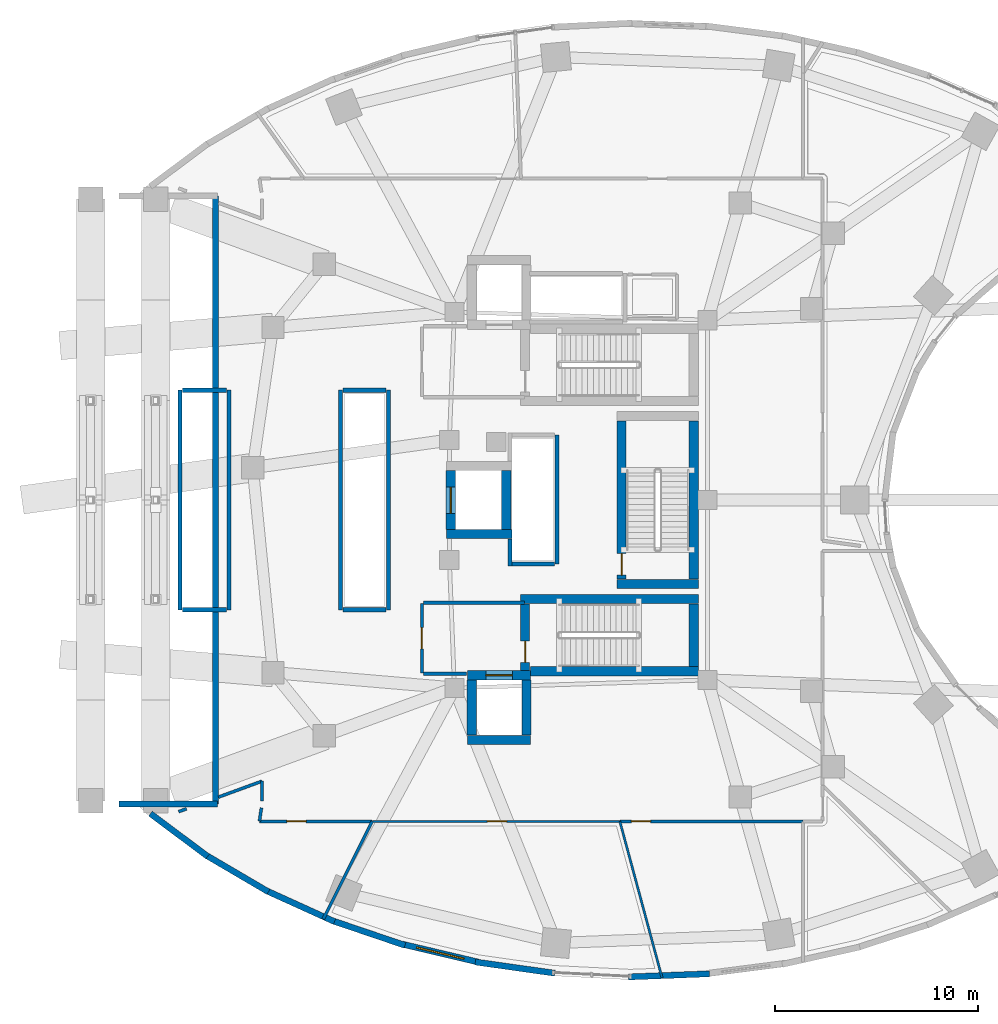
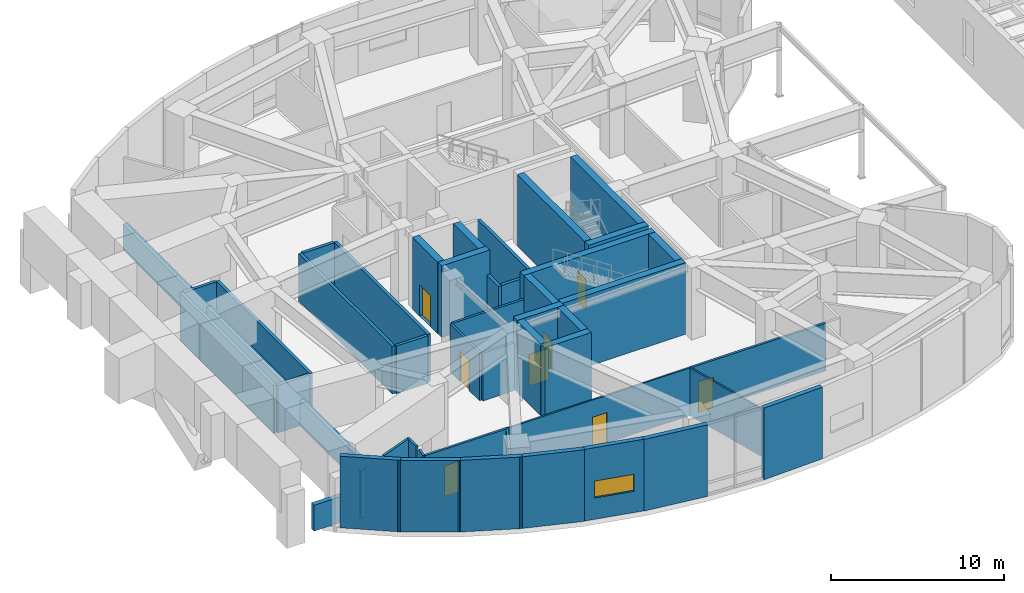
# One storey, part 15 of 23: 46 walls, 8 doors, 1 window, 9 openings.
"""IFC4 building model written with IfcOpenShell, lengths in metres."""

from ifc_helpers import new_model, si_unit, direction, frame, frame_2d, origin, place, context, subcontext, project, spatial, rectangle, extrude, material, layer, layer_set, type_object, element, fill, save


model = new_model("IFC4")

# Units and contexts
model_context = context("Model", 3, precision=1e-05, world=origin(), true_north=direction((0.0, 1.0)))
body_context = subcontext(model_context, "Body", "Model", "MODEL_VIEW")
ifc_project = project(units=[si_unit("LENGTHUNIT", "METRE"), si_unit("AREAUNIT", "SQUARE_METRE"), si_unit("VOLUMEUNIT", "CUBIC_METRE"), si_unit("PLANEANGLEUNIT", "RADIAN"), si_unit("MASSUNIT", "GRAM", prefix="KILO")], contexts=[model_context])

# Site, building, storey
site_placement = place(None, origin())
site = spatial("IfcSite", under=ifc_project, at=site_placement, CompositionType="ELEMENT")
building_placement = place(site_placement, origin())
building = spatial("IfcBuilding", under=site, at=building_placement, Name="Korentha Bioscience Tower", CompositionType="ELEMENT")
storey_placement = place(building_placement, frame((0.0, 0.0, 15.0)))
storey = spatial("IfcBuildingStorey", under=building, at=storey_placement, Name="L03", CompositionType="ELEMENT", Elevation=15.0)

# Wall, opening, door
ifc_material_1 = material(Name="Double-Stud Acoustic Gypsum", Category="gypsum")
ifc_layer_1 = layer(ifc_material_1, 0.14990234375, Name="Double-Stud Acoustic Gypsum")
ifc_layer_set_1 = layer_set([ifc_layer_1], Name="Double-Stud Acoustic Gypsum (IW-L150)")
wall_type_1 = type_object("IfcWallType", Name="Acoustic Laboratory Partition Wall 150", PredefinedType="PARTITIONING", material=ifc_layer_set_1)
wall_1_placement = place(storey_placement, frame((15.51806640625, 11.18994140625, 0.0), z_axis=(0.0, 0.0, 1.0), x_axis=(1.0, 0.0, 0.0)))
wall_1 = element("IfcWall", 1, at=wall_1_placement, inside=storey, type_object=wall_type_1, Name="L03 Industry Incubator Co-Working Studio 01 Entrance Wall", PredefinedType="PARTITIONING", context=body_context, shape_type="SweptSolid", body=[
    extrude(rectangle(XDim=5.5361328125, YDim=0.14990234375, at=frame_2d((2.76806640625, 0.0))), origin(), (0.0, 0.0, 1.0), 3.360107421875),
])
opening_1_placement = place(wall_1_placement, frame((1.333984375, 0.0, 0.0)))
opening_1 = element("IfcOpeningElement", 2, at=opening_1_placement, cuts=wall_1, Name="Opening ID-10L", PredefinedType="OPENING", context=body_context, shape_type="SweptSolid", body=[
    extrude(rectangle(XDim=0.949951171875, YDim=2.14990234375, at=frame_2d((0.47509765625, 1.074951171875))), frame((0.0, 0.08984375, 0.0), z_axis=(0.0, -1.0, 0.0), x_axis=(1.0, 0.0, 0.0)), (0.0, 0.0, 1.0), 0.1796875),
])
ifc_material_2 = material(Name="Phenolic Laminate Timber Core", Category="wood")
door_type_1 = type_object("IfcDoorType", Name="Laboratory Single Leaf Door 950x2150 Left", OperationType="SINGLE_SWING_LEFT", PredefinedType="DOOR", material=ifc_material_2)
door_1_placement = place(opening_1_placement, origin())
door_1 = element("IfcDoor", 3, at=door_1_placement, inside=storey, type_object=door_type_1, Name="L03 Industry Incubator Co-Working Studio 01 Door", OperationType="SINGLE_SWING_LEFT", OverallHeight=2.14990234375, OverallWidth=0.949951171875, PredefinedType="DOOR", context=body_context, shape_type="SweptSolid", body=[
    extrude(rectangle(XDim=0.949951171875, YDim=2.14990234375, at=frame_2d((0.47509765625, 1.074951171875))), frame((0.0, 0.02490234375, 0.0), z_axis=(0.0, -1.0, 0.0), x_axis=(1.0, 0.0, 0.0)), (0.0, 0.0, 1.0), 0.050048828125),
])
fill(opening_1, door_1)

wall_2_placement = place(storey_placement, frame((33.247802734375, 11.18994140625, 0.0), z_axis=(0.0, 0.0, 1.0), x_axis=(1.0, 0.0, 0.0)))
wall_2 = element("IfcWall", 4, at=wall_2_placement, inside=storey, type_object=wall_type_1, Name="L03 Bioscience Reference Library 03 Entrance Wall", PredefinedType="PARTITIONING", context=body_context, shape_type="SweptSolid", body=[
    extrude(rectangle(XDim=9.000244140625, YDim=0.14990234375, at=frame_2d((4.5, 0.0))), origin(), (0.0, 0.0, 1.0), 3.360107421875),
])
opening_2_placement = place(wall_2_placement, frame((0.557373046875, 0.0, 0.0)))
opening_2 = element("IfcOpeningElement", 5, at=opening_2_placement, cuts=wall_2, Name="Opening ID-10L", PredefinedType="OPENING", context=body_context, shape_type="SweptSolid", body=[
    extrude(rectangle(XDim=0.949951171875, YDim=2.14990234375, at=frame_2d((0.47509765625, 1.074951171875))), frame((0.0, 0.08984375, 0.0), z_axis=(0.0, -1.0, 0.0), x_axis=(1.0, 0.0, 0.0)), (0.0, 0.0, 1.0), 0.1796875),
])
door_2_placement = place(opening_2_placement, origin())
door_2 = element("IfcDoor", 6, at=door_2_placement, inside=storey, type_object=door_type_1, Name="L03 Bioscience Reference Library 03 Door", OperationType="SINGLE_SWING_LEFT", OverallHeight=2.14990234375, OverallWidth=0.949951171875, PredefinedType="DOOR", context=body_context, shape_type="SweptSolid", body=[
    extrude(rectangle(XDim=0.949951171875, YDim=2.14990234375, at=frame_2d((0.47509765625, 1.074951171875))), frame((0.0, 0.02490234375, 0.0), z_axis=(0.0, -1.0, 0.0), x_axis=(1.0, 0.0, 0.0)), (0.0, 0.0, 1.0), 0.050048828125),
])
fill(opening_2, door_2)

# Walls
wall_3_placement = place(storey_placement, frame((11.53076171875, 11.6669921875, 0.0), z_axis=(0.0, 0.0, 1.0), x_axis=(0.939141305032, 0.343531089107, 0.0)))
element("IfcWall", 7, at=wall_3_placement, inside=storey, type_object=wall_type_1, Name="L03 Interior Partition 018", PredefinedType="PARTITIONING", context=body_context, shape_type="SweptSolid", body=[
    extrude(rectangle(XDim=0.41650390625, YDim=0.14990234375, at=frame_2d((0.208251953125, 0.0))), origin(), (0.0, 0.0, 1.0), 3.360107421875),
])
wall_4_placement = place(storey_placement, frame((13.489990234375, 12.3837890625, 0.0), z_axis=(0.0, 0.0, 1.0), x_axis=(0.93911273323, 0.343609188302, 0.0)))
element("IfcWall", 8, at=wall_4_placement, inside=storey, type_object=wall_type_1, Name="L03 Interior Partition 019", PredefinedType="PARTITIONING", context=body_context, shape_type="SweptSolid", body=[
    extrude(rectangle(XDim=2.278564453125, YDim=0.14990234375, at=frame_2d((1.13916015625, 0.0))), origin(), (0.0, 0.0, 1.0), 3.360107421875),
])
wall_5_placement = place(storey_placement, frame((15.6298828125, 13.166748046875, 0.0), z_axis=(0.0, 0.0, 1.0), x_axis=(0.0, -1.0, 0.0)))
element("IfcWall", 9, at=wall_5_placement, inside=storey, type_object=wall_type_1, Name="L03 Interior Partition 020", PredefinedType="PARTITIONING", context=body_context, shape_type="SweptSolid", body=[
    extrude(rectangle(XDim=0.966552734375, YDim=0.14990234375, at=frame_2d((0.4833984375, 0.0))), origin(), (0.0, 0.0, 1.0), 3.360107421875),
])
wall_6_placement = place(storey_placement, frame((15.60546875, 11.857421875, 0.0), z_axis=(0.0, 0.0, 1.0), x_axis=(-0.146882189547, -0.989153993266, 0.0)))
element("IfcWall", 10, at=wall_6_placement, inside=storey, type_object=wall_type_1, Name="L03 Interior Partition 021", PredefinedType="PARTITIONING", context=body_context, shape_type="SweptSolid", body=[
    extrude(rectangle(XDim=0.6630859375, YDim=0.14990234375, at=frame_2d((0.33154296875, 0.0))), origin(), (0.0, 0.0, 1.0), 3.360107421875),
])
wall_7_placement = place(storey_placement, frame((21.05419921875, 11.18994140625, 0.0), z_axis=(0.0, 0.0, 1.0), x_axis=(-0.447757899169, -0.89415483208, 0.0)))
element("IfcWall", 11, at=wall_7_placement, inside=storey, type_object=wall_type_1, Name="L03 Interior Partition 022", PredefinedType="PARTITIONING", context=body_context, shape_type="SweptSolid", body=[
    extrude(rectangle(XDim=5.381591796875, YDim=0.14990234375, at=frame_2d((2.69091796875, 0.0))), origin(), (0.0, 0.0, 1.0), 3.360107421875),
])

# Wall, opening, door
ifc_material_3 = material(Name="Fire-Rated Framed Glass", Category="glass")
ifc_layer_2 = layer(ifc_material_3, 0.110107421875, Name="Fire-Rated Framed Glass")
ifc_layer_set_2 = layer_set([ifc_layer_2], Name="Fire-Rated Framed Glass (IW-G110)")
wall_type_2 = type_object("IfcWallType", Name="Demountable Glazed Office Partition 110", PredefinedType="MOVABLE", material=ifc_layer_set_2)
wall_8_placement = place(storey_placement, frame((21.064208984375, 11.18994140625, 0.0), z_axis=(0.0, 0.0, 1.0), x_axis=(1.0, 0.0, 0.0)))
wall_8 = element("IfcWall", 12, at=wall_8_placement, inside=storey, type_object=wall_type_2, Name="L03 Visiting Scholars' Seminar Suite 02 Entrance Wall", PredefinedType="MOVABLE", context=body_context, shape_type="SweptSolid", body=[
    extrude(rectangle(XDim=12.173095703125, YDim=0.110107421875, at=frame_2d((6.08642578125, 0.0))), origin(), (0.0, 0.0, 1.0), 3.360107421875),
])
opening_3_placement = place(wall_8_placement, frame((5.6572265625, 0.0, 0.0)))
opening_3 = element("IfcOpeningElement", 13, at=opening_3_placement, cuts=wall_8, Name="Opening ID-10R", PredefinedType="OPENING", context=body_context, shape_type="SweptSolid", body=[
    extrude(rectangle(XDim=0.949951171875, YDim=2.14990234375, at=frame_2d((0.47509765625, 1.074951171875))), frame((0.0, 0.06982421875, 0.0), z_axis=(0.0, -1.0, 0.0), x_axis=(1.0, 0.0, 0.0)), (0.0, 0.0, 1.0), 0.139892578125),
])
door_type_2 = type_object("IfcDoorType", Name="Laboratory Single Leaf Door 950x2150 Right", OperationType="SINGLE_SWING_RIGHT", PredefinedType="DOOR", material=ifc_material_2)
door_3_placement = place(opening_3_placement, origin())
door_3 = element("IfcDoor", 14, at=door_3_placement, inside=storey, type_object=door_type_2, Name="L03 Visiting Scholars' Seminar Suite 02 Door", OperationType="SINGLE_SWING_RIGHT", OverallHeight=2.14990234375, OverallWidth=0.949951171875, PredefinedType="DOOR", context=body_context, shape_type="SweptSolid", body=[
    extrude(rectangle(XDim=0.949951171875, YDim=2.14990234375, at=frame_2d((0.47509765625, 1.074951171875))), frame((0.0, 0.02490234375, 0.0), z_axis=(0.0, -1.0, 0.0), x_axis=(1.0, 0.0, 0.0)), (0.0, 0.0, 1.0), 0.050048828125),
])
fill(opening_3, door_3)

# Wall
wall_9_placement = place(storey_placement, frame((33.2373046875, 11.18994140625, 0.0), z_axis=(0.0, 0.0, 1.0), x_axis=(0.260511239905, -0.96547081462, 0.0)))
element("IfcWall", 15, at=wall_9_placement, inside=storey, type_object=wall_type_2, Name="L03 Interior Partition 023", PredefinedType="MOVABLE", context=body_context, shape_type="SweptSolid", body=[
    extrude(rectangle(XDim=7.97705078125, YDim=0.110107421875, at=frame_2d((3.988525390625, 0.0))), origin(), (0.0, 0.0, 1.0), 3.360107421875),
])

# Wall, opening, door
ifc_material_4 = material(Name="Gypsum-Clad Steel Stud", Category="steel")
ifc_layer_3 = layer(ifc_material_4, 0.159912109375, Name="Gypsum-Clad Steel Stud")
ifc_layer_set_3 = layer_set([ifc_layer_3], Name="Gypsum-Clad Steel Stud (IW-C160)")
wall_type_3 = type_object("IfcWallType", Name="Fire-Rated Corridor Partition Wall 160", PredefinedType="PARTITIONING", material=ifc_layer_set_3)
wall_10_placement = place(storey_placement, frame((23.5, 18.5, 0.0), z_axis=(0.0, 0.0, 1.0), x_axis=(0.0, 1.0, 0.0)))
wall_10 = element("IfcWall", 16, at=wall_10_placement, inside=storey, type_object=wall_type_3, Name="L03 FFLS-CW Rated Enclosure Wall", PredefinedType="PARTITIONING", context=body_context, shape_type="SweptSolid", body=[
    extrude(rectangle(XDim=3.39990234375, YDim=0.159912109375, at=frame_2d((1.699951171875, 0.0))), origin(), (0.0, 0.0, 1.0), 3.360107421875),
])
opening_4_placement = place(wall_10_placement, frame((1.175048828125, 0.0, 0.0)))
opening_4 = element("IfcOpeningElement", 17, at=opening_4_placement, cuts=wall_10, Name="Opening FD-90R", PredefinedType="OPENING", context=body_context, shape_type="SweptSolid", body=[
    extrude(rectangle(XDim=1.050048828125, YDim=2.14990234375, at=frame_2d((0.52490234375, 1.074951171875))), frame((0.0, 0.0947265625, 0.0), z_axis=(0.0, -1.0, 0.0), x_axis=(1.0, 0.0, 0.0)), (0.0, 0.0, 1.0), 0.189697265625),
])
ifc_material_5 = material(Name="Powder-Coated Fire-Rated Steel", Category="steel")
door_type_3 = type_object("IfcDoorType", Name="Stairwell Fire Exit Door 1050x2150 Right", OperationType="SINGLE_SWING_RIGHT", PredefinedType="DOOR", material=ifc_material_5)
door_4_placement = place(opening_4_placement, origin())
door_4 = element("IfcDoor", 18, at=door_4_placement, inside=storey, type_object=door_type_3, Name="L03 South Firefighting Lobby Door", OperationType="SINGLE_SWING_RIGHT", OverallHeight=2.14990234375, OverallWidth=1.050048828125, PredefinedType="DOOR", context=body_context, shape_type="SweptSolid", body=[
    extrude(rectangle(XDim=1.050048828125, YDim=2.14990234375, at=frame_2d((0.52490234375, 1.074951171875))), frame((0.0, 0.02490234375, 0.0), z_axis=(0.0, -1.0, 0.0), x_axis=(1.0, 0.0, 0.0)), (0.0, 0.0, 1.0), 0.050048828125),
])
fill(opening_4, door_4)

# Walls
wall_11_placement = place(storey_placement, frame((23.580078125, 21.949951171875, 0.0), z_axis=(0.0, 0.0, 1.0), x_axis=(1.0, 0.0, 0.0)))
element("IfcWall", 19, at=wall_11_placement, inside=storey, type_object=wall_type_3, Name="L03 Firefighting Lobby Return Wall FFLS-N", PredefinedType="PARTITIONING", context=body_context, shape_type="SweptSolid", body=[
    extrude(rectangle(XDim=4.969970703125, YDim=0.159912109375, at=frame_2d((2.48486328125, 0.0))), origin(), (0.0, 0.0, 1.0), 3.360107421875),
])
wall_12_placement = place(storey_placement, frame((23.580078125, 18.449951171875, 0.0), z_axis=(0.0, 0.0, 1.0), x_axis=(1.0, 0.0, 0.0)))
element("IfcWall", 20, at=wall_12_placement, inside=storey, type_object=wall_type_3, Name="L03 Firefighting Lobby Return Wall FFLS-S", PredefinedType="PARTITIONING", context=body_context, shape_type="SweptSolid", body=[
    extrude(rectangle(XDim=2.119873046875, YDim=0.159912109375, at=frame_2d((1.06005859375, 0.0))), origin(), (0.0, 0.0, 1.0), 3.360107421875),
])

# Wall, opening, window
ifc_material_6 = material(Name="Honed Limestone Precast Concrete C40", Category="masonry")
ifc_layer_4 = layer(ifc_material_6, 0.300048828125, Name="Honed Limestone Precast Concrete C40")
ifc_layer_set_4 = layer_set([ifc_layer_4], Name="Honed Limestone Precast Concrete C40 (EW-ST300)")
wall_type_4 = type_object("IfcWallType", Name="Honed Limestone Cavity Spandrel Wall 300", PredefinedType="STANDARD", material=ifc_layer_set_4)
wall_13_placement = place(storey_placement, frame((22.524658203125, 5.1533203125, 0.0), z_axis=(0.0, 0.0, 1.0), x_axis=(0.973186156802, -0.230018921417, 0.0)))
wall_13 = element("IfcWall", 21, at=wall_13_placement, inside=storey, type_object=wall_type_4, Name="L03 Honed Limestone Spandrel Wall 29", PredefinedType="STANDARD", context=body_context, shape_type="SweptSolid", body=[
    extrude(rectangle(XDim=3.861328125, YDim=0.300048828125, at=frame_2d((1.9306640625, 0.0))), origin(), (0.0, 0.0, 1.0), 5.050048828125),
])
opening_5_placement = place(wall_13_placement, frame((0.730712890625, 0.0, 1.5)))
opening_5 = element("IfcOpeningElement", 22, at=opening_5_placement, cuts=wall_13, Name="Opening WN-04", PredefinedType="OPENING", context=body_context, shape_type="SweptSolid", body=[
    extrude(rectangle(XDim=2.39990234375, YDim=1.199951171875, at=frame_2d((1.199951171875, 0.60009765625))), frame((0.0, 0.1650390625, 0.0), z_axis=(0.0, -1.0, 0.0), x_axis=(1.0, 0.0, 0.0)), (0.0, 0.0, 1.0), 0.329833984375),
])
ifc_material_7 = material(Name="Thermally Broken Aluminium Triple Glazing", Category="aluminium")
window_type = type_object("IfcWindowType", Name="Podium Clerestory Ribbon Window 2400x1200", PartitioningType="DOUBLE_PANEL_HORIZONTAL", PredefinedType="WINDOW", material=ifc_material_7)
window_placement = place(opening_5_placement, origin())
window = element("IfcWindow", 23, at=window_placement, inside=storey, type_object=window_type, Name="L03 Facade Window 29", OverallHeight=1.199951171875, OverallWidth=2.39990234375, PartitioningType="DOUBLE_PANEL_HORIZONTAL", PredefinedType="WINDOW", context=body_context, shape_type="SweptSolid", body=[
    extrude(rectangle(XDim=2.39990234375, YDim=1.199951171875, at=frame_2d((1.199951171875, 0.60009765625))), frame((0.0, 0.030029296875, 0.0), z_axis=(0.0, -1.0, 0.0), x_axis=(1.0, 0.0, 0.0)), (0.0, 0.0, 1.0), 0.06005859375),
])
fill(opening_5, window)

# Walls
wall_14_placement = place(storey_placement, frame((10.141845703125, 11.573486328125, 0.0), z_axis=(0.0, 0.0, 1.0), x_axis=(0.800823020995, -0.598901067827, 0.0)))
element("IfcWall", 24, at=wall_14_placement, inside=storey, type_object=wall_type_4, Name="L03 Limestone Perimeter Closure Wall 25", PredefinedType="STANDARD", context=body_context, shape_type="SweptSolid", body=[
    extrude(rectangle(XDim=3.520751953125, YDim=0.300048828125, at=frame_2d((1.76025390625, 0.0))), origin(), (0.0, 0.0, 1.0), 5.050048828125),
])
wall_15_placement = place(storey_placement, frame((12.8154296875, 9.56201171875, 0.0), z_axis=(0.0, 0.0, 1.0), x_axis=(0.8624654944, -0.506115867139, 0.0)))
element("IfcWall", 25, at=wall_15_placement, inside=storey, type_object=wall_type_4, Name="L03 Limestone Perimeter Closure Wall 26", PredefinedType="STANDARD", context=body_context, shape_type="SweptSolid", body=[
    extrude(rectangle(XDim=3.63525390625, YDim=0.300048828125, at=frame_2d((1.817626953125, 0.0))), origin(), (0.0, 0.0, 1.0), 5.050048828125),
])
wall_16_placement = place(storey_placement, frame((15.7958984375, 7.80224609375, 0.0), z_axis=(0.0, 0.0, 1.0), x_axis=(0.910623406862, -0.413237233166, 0.0)))
element("IfcWall", 26, at=wall_16_placement, inside=storey, type_object=wall_type_4, Name="L03 Limestone Perimeter Closure Wall 27", PredefinedType="STANDARD", context=body_context, shape_type="SweptSolid", body=[
    extrude(rectangle(XDim=3.73974609375, YDim=0.300048828125, at=frame_2d((1.869873046875, 0.0))), origin(), (0.0, 0.0, 1.0), 5.050048828125),
])
wall_17_placement = place(storey_placement, frame((19.0400390625, 6.32080078125, 0.0), z_axis=(0.0, 0.0, 1.0), x_axis=(0.94702579403, -0.321157508773, 0.0)))
element("IfcWall", 27, at=wall_17_placement, inside=storey, type_object=wall_type_4, Name="L03 Limestone Perimeter Closure Wall 28", PredefinedType="STANDARD", context=body_context, shape_type="SweptSolid", body=[
    extrude(rectangle(XDim=3.829833984375, YDim=0.300048828125, at=frame_2d((1.9150390625, 0.0))), origin(), (0.0, 0.0, 1.0), 5.050048828125),
])
wall_18_placement = place(storey_placement, frame((26.127685546875, 4.273193359375, 0.0), z_axis=(0.0, 0.0, 1.0), x_axis=(0.990165832998, -0.139898617443, 0.0)))
element("IfcWall", 28, at=wall_18_placement, inside=storey, type_object=wall_type_4, Name="L03 Limestone Perimeter Closure Wall 30", PredefinedType="STANDARD", context=body_context, shape_type="SweptSolid", body=[
    extrude(rectangle(XDim=3.950927734375, YDim=0.300048828125, at=frame_2d((1.9755859375, 0.0))), origin(), (0.0, 0.0, 1.0), 5.050048828125),
])
wall_19_placement = place(storey_placement, frame((33.66796875, 3.53759765625, 0.0), z_axis=(0.0, 0.0, 1.0), x_axis=(0.999245411623, 0.038840794937, 0.0)))
element("IfcWall", 29, at=wall_19_placement, inside=storey, type_object=wall_type_4, Name="L03 Limestone Perimeter Closure Wall 32", PredefinedType="STANDARD", context=body_context, shape_type="SweptSolid", body=[
    extrude(rectangle(XDim=3.978759765625, YDim=0.300048828125, at=frame_2d((1.9892578125, 0.0))), origin(), (0.0, 0.0, 1.0), 5.050048828125),
])
wall_20_placement = place(storey_placement, frame((13.35009765625, 12.050048828125, 0.0), z_axis=(0.0, 0.0, 1.0), x_axis=(0.0, 1.0, 0.0)))
element("IfcWall", 30, at=wall_20_placement, inside=storey, type_object=wall_type_4, Name="L03 Arch Plaza Recess East Enclosure Wall", PredefinedType="STANDARD", context=body_context, shape_type="SweptSolid", body=[
    extrude(rectangle(XDim=29.89990234375, YDim=0.300048828125, at=frame_2d((14.949951171875, 0.0))), origin(), (0.0, 0.0, 1.0), 1.824951171875),
])
wall_21_placement = place(storey_placement, frame((8.60009765625, 12.050048828125, 0.0), z_axis=(0.0, 0.0, 1.0), x_axis=(1.0, 0.0, 0.0)))
element("IfcWall", 31, at=wall_21_placement, inside=storey, type_object=wall_type_4, Name="L03 Arch Plaza Recess South Cheek Wall", PredefinedType="STANDARD", context=body_context, shape_type="SweptSolid", body=[
    extrude(rectangle(XDim=4.849853515625, YDim=0.300048828125, at=frame_2d((2.4248046875, 0.0))), origin(), (0.0, 0.0, 1.0), 1.824951171875),
])
ifc_material_8 = material(Name="Autoclaved Aerated Concrete Block C25", Category="concrete")
ifc_layer_5 = layer(ifc_material_8, 0.199951171875, Name="Autoclaved Aerated Concrete Block C25")
ifc_layer_set_5 = layer_set([ifc_layer_5], Name="Autoclaved Aerated Concrete Block C25 (IW-S200)")
wall_type_5 = type_object("IfcWallType", Name="Lift and Riser Shaft Enclosure Wall 200", PredefinedType="PARTITIONING", material=ifc_layer_set_5)
for number, where, z_axis, x_axis, name in (
    (32, (11.60009765625, 21.60009765625, 0.0), (0.0, 0.0, 1.0), (0.0, 1.0, 0.0), "L03 Lift Bank LOW Shaft Wall -X"),
    (33, (14.0, 21.60009765625, 0.0), (0.0, 0.0, 1.0), (0.0, 1.0, 0.0), "L03 Lift Bank LOW Shaft Wall +X"),
):
    element("IfcWall", number, at=place(storey_placement, frame(where, z_axis=z_axis, x_axis=x_axis)), inside=storey, type_object=wall_type_5, Name=name, PredefinedType="PARTITIONING", context=body_context, shape_type="SweptSolid", body=[
        extrude(rectangle(XDim=10.7998046875, YDim=0.199951171875, at=frame_2d((5.39990234375, 0.0))), origin(), (0.0, 0.0, 1.0), 3.360107421875),
    ])
for number, where, z_axis, x_axis, name in (
    (34, (11.719970703125, 21.60009765625, 0.0), (0.0, 0.0, 1.0), (1.0, 0.0, 0.0), "L03 Lift Bank LOW Shaft Wall -Y"),
    (35, (11.719970703125, 32.39990234375, 0.0), (0.0, 0.0, 1.0), (1.0, 0.0, 0.0), "L03 Lift Bank LOW Shaft Wall +Y"),
):
    element("IfcWall", number, at=place(storey_placement, frame(where, z_axis=z_axis, x_axis=x_axis)), inside=storey, type_object=wall_type_5, Name=name, PredefinedType="PARTITIONING", context=body_context, shape_type="SweptSolid", body=[
        extrude(rectangle(XDim=2.159912109375, YDim=0.199951171875, at=frame_2d((1.080078125, 0.0))), origin(), (0.0, 0.0, 1.0), 3.360107421875),
    ])
for number, where, z_axis, x_axis, name in (
    (36, (19.5, 21.60009765625, 0.0), (0.0, 0.0, 1.0), (0.0, 1.0, 0.0), "L03 Lift Bank MID Shaft Wall -X"),
    (37, (21.85009765625, 21.60009765625, 0.0), (0.0, 0.0, 1.0), (0.0, 1.0, 0.0), "L03 Lift Bank MID Shaft Wall +X"),
):
    element("IfcWall", number, at=place(storey_placement, frame(where, z_axis=z_axis, x_axis=x_axis)), inside=storey, type_object=wall_type_5, Name=name, PredefinedType="PARTITIONING", context=body_context, shape_type="SweptSolid", body=[
        extrude(rectangle(XDim=10.7998046875, YDim=0.199951171875, at=frame_2d((5.39990234375, 0.0))), origin(), (0.0, 0.0, 1.0), 3.360107421875),
    ])
for number, where, z_axis, x_axis, name in (
    (38, (19.6201171875, 21.60009765625, 0.0), (0.0, 0.0, 1.0), (1.0, 0.0, 0.0), "L03 Lift Bank MID Shaft Wall -Y"),
    (39, (19.6201171875, 32.39990234375, 0.0), (0.0, 0.0, 1.0), (1.0, 0.0, 0.0), "L03 Lift Bank MID Shaft Wall +Y"),
):
    element("IfcWall", number, at=place(storey_placement, frame(where, z_axis=z_axis, x_axis=x_axis)), inside=storey, type_object=wall_type_5, Name=name, PredefinedType="PARTITIONING", context=body_context, shape_type="SweptSolid", body=[
        extrude(rectangle(XDim=2.10986328125, YDim=0.199951171875, at=frame_2d((1.054931640625, 0.0))), origin(), (0.0, 0.0, 1.0), 3.360107421875),
    ])
wall_22_placement = place(storey_placement, frame((27.830078125, 23.75, 0.0), z_axis=(0.0, 0.0, 1.0), x_axis=(0.0, 1.0, 0.0)))
element("IfcWall", 40, at=wall_22_placement, inside=storey, type_object=wall_type_5, Name="L03 Lift Bank HIGH Shaft Wall -XS", PredefinedType="PARTITIONING", context=body_context, shape_type="SweptSolid", body=[
    extrude(rectangle(XDim=1.341064453125, YDim=0.199951171875, at=frame_2d((0.67041015625, 0.0))), origin(), (0.0, 0.0, 1.0), 3.360107421875),
])
wall_23_placement = place(storey_placement, frame((30.14990234375, 23.85009765625, 0.0), z_axis=(0.0, 0.0, 1.0), x_axis=(0.0, 1.0, 0.0)))
element("IfcWall", 41, at=wall_23_placement, inside=storey, type_object=wall_type_5, Name="L03 Lift Bank HIGH Shaft Wall +X", PredefinedType="PARTITIONING", context=body_context, shape_type="SweptSolid", body=[
    extrude(rectangle(XDim=6.349853515625, YDim=0.199951171875, at=frame_2d((3.1748046875, 0.0))), origin(), (0.0, 0.0, 1.0), 3.360107421875),
])
wall_24_placement = place(storey_placement, frame((27.93408203125, 23.85009765625, 0.0), z_axis=(0.0, 0.0, 1.0), x_axis=(1.0, 0.0, 0.0)))
element("IfcWall", 42, at=wall_24_placement, inside=storey, type_object=wall_type_5, Name="L03 Lift Bank HIGH Shaft Wall -Y", PredefinedType="PARTITIONING", context=body_context, shape_type="SweptSolid", body=[
    extrude(rectangle(XDim=2.095947265625, YDim=0.199951171875, at=frame_2d((1.0478515625, 0.0))), origin(), (0.0, 0.0, 1.0), 3.360107421875),
])
ifc_material_9 = material(Name="Concrete C80", Category="concrete")
ifc_layer_6 = layer(ifc_material_9, 0.449951171875, Name="Concrete C80")
ifc_layer_set_6 = layer_set([ifc_layer_6], Name="Concrete C80 (CW-C80)")
wall_type_6 = type_object("IfcWallType", Name="Lower Core Shear Wall 450", PredefinedType="SHEAR", material=ifc_layer_set_6)
wall_25_placement = place(storey_placement, frame((28.85205078125, 18.574951171875, 0.0), z_axis=(0.0, 0.0, 1.0), x_axis=(1.0, 0.0, 0.0)))
element("IfcWall", 43, at=wall_25_placement, inside=storey, type_object=wall_type_6, Name="L03 Core Shear Wall ST2-S", PredefinedType="SHEAR", context=body_context, shape_type="SweptSolid", body=[
    extrude(rectangle(XDim=8.248046875, YDim=0.449951171875, at=frame_2d((4.1240234375, 0.0))), origin(), (0.0, 0.0, 1.0), 5.050048828125),
])
wall_26_placement = place(storey_placement, frame((28.35009765625, 22.125, 0.0), z_axis=(0.0, 0.0, 1.0), x_axis=(1.0, 0.0, 0.0)))
element("IfcWall", 44, at=wall_26_placement, inside=storey, type_object=wall_type_6, Name="L03 Core Shear Wall ST2-N", PredefinedType="SHEAR", context=body_context, shape_type="SweptSolid", body=[
    extrude(rectangle(XDim=8.75, YDim=0.449951171875, at=frame_2d((4.375, 0.0))), origin(), (0.0, 0.0, 1.0), 5.050048828125),
])
wall_27_placement = place(storey_placement, frame((36.875, 18.81005859375, 0.0), z_axis=(0.0, 0.0, 1.0), x_axis=(0.0, 1.0, 0.0)))
element("IfcWall", 45, at=wall_27_placement, inside=storey, type_object=wall_type_6, Name="L03 Core Shear Wall ST2-E", PredefinedType="SHEAR", context=body_context, shape_type="SweptSolid", body=[
    extrude(rectangle(XDim=3.079833984375, YDim=0.449951171875, at=frame_2d((1.5400390625, 0.0))), origin(), (0.0, 0.0, 1.0), 5.050048828125),
])

# Wall, opening, door
wall_28_placement = place(storey_placement, frame((28.574951171875, 18.60693359375, 0.0), z_axis=(0.0, 0.0, 1.0), x_axis=(0.0, 1.0, 0.0)))
wall_28 = element("IfcWall", 46, at=wall_28_placement, inside=storey, type_object=wall_type_6, Name="L03 Core Shear Wall ST2-W", PredefinedType="SHEAR", context=body_context, shape_type="SweptSolid", body=[
    extrude(rectangle(XDim=3.282958984375, YDim=0.449951171875, at=frame_2d((1.6416015625, 0.0))), origin(), (0.0, 0.0, 1.0), 5.050048828125),
])
opening_6_placement = place(wall_28_placement, frame((0.403076171875, 0.0, 0.0)))
opening_6 = element("IfcOpeningElement", 47, at=opening_6_placement, cuts=wall_28, Name="Opening FD-90R", PredefinedType="OPENING", context=body_context, shape_type="SweptSolid", body=[
    extrude(rectangle(XDim=1.050048828125, YDim=2.14990234375, at=frame_2d((0.52490234375, 1.074951171875))), frame((0.0, 0.23974609375, 0.0), z_axis=(0.0, -1.0, 0.0), x_axis=(1.0, 0.0, 0.0)), (0.0, 0.0, 1.0), 0.479736328125),
])
door_5_placement = place(opening_6_placement, origin())
door_5 = element("IfcDoor", 48, at=door_5_placement, inside=storey, type_object=door_type_3, Name="L03 ST-2 Fire Exit Stair Door", OperationType="SINGLE_SWING_RIGHT", OverallHeight=2.14990234375, OverallWidth=1.050048828125, PredefinedType="DOOR", context=body_context, shape_type="SweptSolid", body=[
    extrude(rectangle(XDim=1.050048828125, YDim=2.14990234375, at=frame_2d((0.52490234375, 1.074951171875))), frame((0.0, 0.02490234375, 0.0), z_axis=(0.0, -1.0, 0.0), x_axis=(1.0, 0.0, 0.0)), (0.0, 0.0, 1.0), 0.050048828125),
])
fill(opening_6, door_5)

# Walls
wall_29_placement = place(storey_placement, frame((33.10009765625, 22.875, 0.0), z_axis=(0.0, 0.0, 1.0), x_axis=(1.0, 0.0, 0.0)))
element("IfcWall", 49, at=wall_29_placement, inside=storey, type_object=wall_type_6, Name="L03 Core Shear Wall ST3-S", PredefinedType="SHEAR", context=body_context, shape_type="SweptSolid", body=[
    extrude(rectangle(XDim=4.0, YDim=0.449951171875, at=frame_2d((2.0, 0.0))), origin(), (0.0, 0.0, 1.0), 5.050048828125),
])
wall_30_placement = place(storey_placement, frame((36.875, 23.110107421875, 0.0), z_axis=(0.0, 0.0, 1.0), x_axis=(0.0, 1.0, 0.0)))
element("IfcWall", 50, at=wall_30_placement, inside=storey, type_object=wall_type_6, Name="L03 Core Shear Wall ST3-E", PredefinedType="SHEAR", context=body_context, shape_type="SweptSolid", body=[
    extrude(rectangle(XDim=7.77978515625, YDim=0.449951171875, at=frame_2d((3.889892578125, 0.0))), origin(), (0.0, 0.0, 1.0), 5.050048828125),
])

# Wall, opening, door
wall_31_placement = place(storey_placement, frame((33.324951171875, 23.110107421875, 0.0), z_axis=(0.0, 0.0, 1.0), x_axis=(0.0, 1.0, 0.0)))
wall_31 = element("IfcWall", 51, at=wall_31_placement, inside=storey, type_object=wall_type_6, Name="L03 Core Shear Wall ST3-W", PredefinedType="SHEAR", context=body_context, shape_type="SweptSolid", body=[
    extrude(rectangle(XDim=7.77978515625, YDim=0.449951171875, at=frame_2d((3.889892578125, 0.0))), origin(), (0.0, 0.0, 1.0), 5.050048828125),
])
opening_7_placement = place(wall_31_placement, frame((0.199951171875, 0.0, 0.0)))
opening_7 = element("IfcOpeningElement", 52, at=opening_7_placement, cuts=wall_31, Name="Opening FD-90R", PredefinedType="OPENING", context=body_context, shape_type="SweptSolid", body=[
    extrude(rectangle(XDim=1.050048828125, YDim=2.14990234375, at=frame_2d((0.52490234375, 1.074951171875))), frame((0.0, 0.23974609375, 0.0), z_axis=(0.0, -1.0, 0.0), x_axis=(1.0, 0.0, 0.0)), (0.0, 0.0, 1.0), 0.479736328125),
])
door_6_placement = place(opening_7_placement, origin())
door_6 = element("IfcDoor", 53, at=door_6_placement, inside=storey, type_object=door_type_3, Name="L03 ST-3 Fire Exit Stair Door", OperationType="SINGLE_SWING_RIGHT", OverallHeight=2.14990234375, OverallWidth=1.050048828125, PredefinedType="DOOR", context=body_context, shape_type="SweptSolid", body=[
    extrude(rectangle(XDim=1.050048828125, YDim=2.14990234375, at=frame_2d((0.52490234375, 1.074951171875))), frame((0.0, 0.02490234375, 0.0), z_axis=(0.0, -1.0, 0.0), x_axis=(1.0, 0.0, 0.0)), (0.0, 0.0, 1.0), 0.050048828125),
])
fill(opening_7, door_6)

# Wall
wall_32_placement = place(storey_placement, frame((25.75, 15.199951171875, 0.0), z_axis=(0.0, 0.0, 1.0), x_axis=(1.0, 0.0, 0.0)))
element("IfcWall", 54, at=wall_32_placement, inside=storey, type_object=wall_type_6, Name="L03 Core Shear Wall FFL1-S", PredefinedType="SHEAR", context=body_context, shape_type="SweptSolid", body=[
    extrude(rectangle(XDim=3.10009765625, YDim=0.449951171875, at=frame_2d((1.550048828125, 0.0))), origin(), (0.0, 0.0, 1.0), 5.050048828125),
])

# Wall, opening, door
wall_33_placement = place(storey_placement, frame((25.75, 18.3798828125, 0.0), z_axis=(0.0, 0.0, 1.0), x_axis=(1.0, 0.0, 0.0)))
wall_33 = element("IfcWall", 55, at=wall_33_placement, inside=storey, type_object=wall_type_6, Name="L03 Core Shear Wall FFL1-N", PredefinedType="SHEAR", context=body_context, shape_type="SweptSolid", body=[
    extrude(rectangle(XDim=3.10009765625, YDim=0.449951171875, at=frame_2d((1.550048828125, 0.0))), origin(), (0.0, 0.0, 1.0), 5.050048828125),
])
opening_8_placement = place(wall_33_placement, frame((0.89990234375, 0.0, 0.0)))
opening_8 = element("IfcOpeningElement", 56, at=opening_8_placement, cuts=wall_33, Name="Opening LD-13", PredefinedType="OPENING", context=body_context, shape_type="SweptSolid", body=[
    extrude(rectangle(XDim=1.300048828125, YDim=2.199951171875, at=frame_2d((0.64990234375, 1.10009765625))), frame((0.0, 0.23974609375, 0.0), z_axis=(0.0, -1.0, 0.0), x_axis=(1.0, 0.0, 0.0)), (0.0, 0.0, 1.0), 0.479736328125),
])
ifc_material_10 = material(Name="Brushed Stainless Steel 316", Category="steel")
door_type_4 = type_object("IfcDoorType", Name="Service & Firefighting Lift Landing Door 1300x2300", OperationType="DOUBLE_DOOR_SLIDING", PredefinedType="DOOR", material=ifc_material_10)
door_7_placement = place(opening_8_placement, origin())
door_7 = element("IfcDoor", 57, at=door_7_placement, inside=storey, type_object=door_type_4, Name="L03 FFL-1 Sliding Lift Landing Door", OperationType="DOUBLE_DOOR_SLIDING", OverallHeight=2.199951171875, OverallWidth=1.300048828125, PredefinedType="DOOR", context=body_context, shape_type="SweptSolid", body=[
    extrude(rectangle(XDim=1.300048828125, YDim=2.199951171875, at=frame_2d((0.64990234375, 1.10009765625))), frame((0.0, 0.02490234375, 0.0), z_axis=(0.0, -1.0, 0.0), x_axis=(1.0, 0.0, 0.0)), (0.0, 0.0, 1.0), 0.050048828125),
])
fill(opening_8, door_7)

# Walls
for number, where, z_axis, x_axis, name in (
    (58, (25.949951171875, 15.43994140625, 0.0), (0.0, 0.0, 1.0), (0.0, 1.0, 0.0), "L03 Core Shear Wall FFL1-W"),
    (59, (28.64990234375, 15.43994140625, 0.0), (0.0, 0.0, 1.0), (0.0, 1.0, 0.0), "L03 Core Shear Wall FFL1-E"),
):
    element("IfcWall", number, at=place(storey_placement, frame(where, z_axis=z_axis, x_axis=x_axis)), inside=storey, type_object=wall_type_6, Name=name, PredefinedType="SHEAR", context=body_context, shape_type="SweptSolid", body=[
        extrude(rectangle(XDim=2.699951171875, YDim=0.449951171875, at=frame_2d((1.35009765625, 0.0))), origin(), (0.0, 0.0, 1.0), 5.050048828125),
    ])
wall_34_placement = place(storey_placement, frame((24.719970703125, 25.320068359375, 0.0), z_axis=(0.0, 0.0, 1.0), x_axis=(1.0, 0.0, 0.0)))
element("IfcWall", 60, at=wall_34_placement, inside=storey, type_object=wall_type_6, Name="L03 Core Shear Wall SVL1-S", PredefinedType="SHEAR", context=body_context, shape_type="SweptSolid", body=[
    extrude(rectangle(XDim=3.2099609375, YDim=0.449951171875, at=frame_2d((1.60498046875, 0.0))), origin(), (0.0, 0.0, 1.0), 5.050048828125),
])

# Wall, opening, door
wall_35_placement = place(storey_placement, frame((24.919921875, 25.547119140625, 0.0), z_axis=(0.0, 0.0, 1.0), x_axis=(0.0, 1.0, 0.0)))
wall_35 = element("IfcWall", 61, at=wall_35_placement, inside=storey, type_object=wall_type_6, Name="L03 Core Shear Wall SVL1-W", PredefinedType="SHEAR", context=body_context, shape_type="SweptSolid", body=[
    extrude(rectangle(XDim=2.90576171875, YDim=0.449951171875, at=frame_2d((1.452880859375, 0.0))), origin(), (0.0, 0.0, 1.0), 5.050048828125),
])
opening_9_placement = place(wall_35_placement, frame((0.7900390625, 0.0, 0.0)))
opening_9 = element("IfcOpeningElement", 62, at=opening_9_placement, cuts=wall_35, Name="Opening LD-13", PredefinedType="OPENING", context=body_context, shape_type="SweptSolid", body=[
    extrude(rectangle(XDim=1.300048828125, YDim=2.199951171875, at=frame_2d((0.64990234375, 1.10009765625))), frame((0.0, 0.23974609375, 0.0), z_axis=(0.0, -1.0, 0.0), x_axis=(1.0, 0.0, 0.0)), (0.0, 0.0, 1.0), 0.479736328125),
])
door_8_placement = place(opening_9_placement, origin())
door_8 = element("IfcDoor", 63, at=door_8_placement, inside=storey, type_object=door_type_4, Name="L03 SVL-1 Sliding Lift Landing Door", OperationType="DOUBLE_DOOR_SLIDING", OverallHeight=2.199951171875, OverallWidth=1.300048828125, PredefinedType="DOOR", context=body_context, shape_type="SweptSolid", body=[
    extrude(rectangle(XDim=1.300048828125, YDim=2.199951171875, at=frame_2d((0.64990234375, 1.10009765625))), frame((0.0, 0.02490234375, 0.0), z_axis=(0.0, -1.0, 0.0), x_axis=(1.0, 0.0, 0.0)), (0.0, 0.0, 1.0), 0.050048828125),
])
fill(opening_9, door_8)

# Wall
wall_36_placement = place(storey_placement, frame((27.64990234375, 25.547119140625, 0.0), z_axis=(0.0, 0.0, 1.0), x_axis=(0.0, 1.0, 0.0)))
element("IfcWall", 64, at=wall_36_placement, inside=storey, type_object=wall_type_6, Name="L03 Core Shear Wall SVL1-E", PredefinedType="SHEAR", context=body_context, shape_type="SweptSolid", body=[
    extrude(rectangle(XDim=2.90576171875, YDim=0.449951171875, at=frame_2d((1.452880859375, 0.0))), origin(), (0.0, 0.0, 1.0), 5.050048828125),
])

save(model, "model.ifc")
